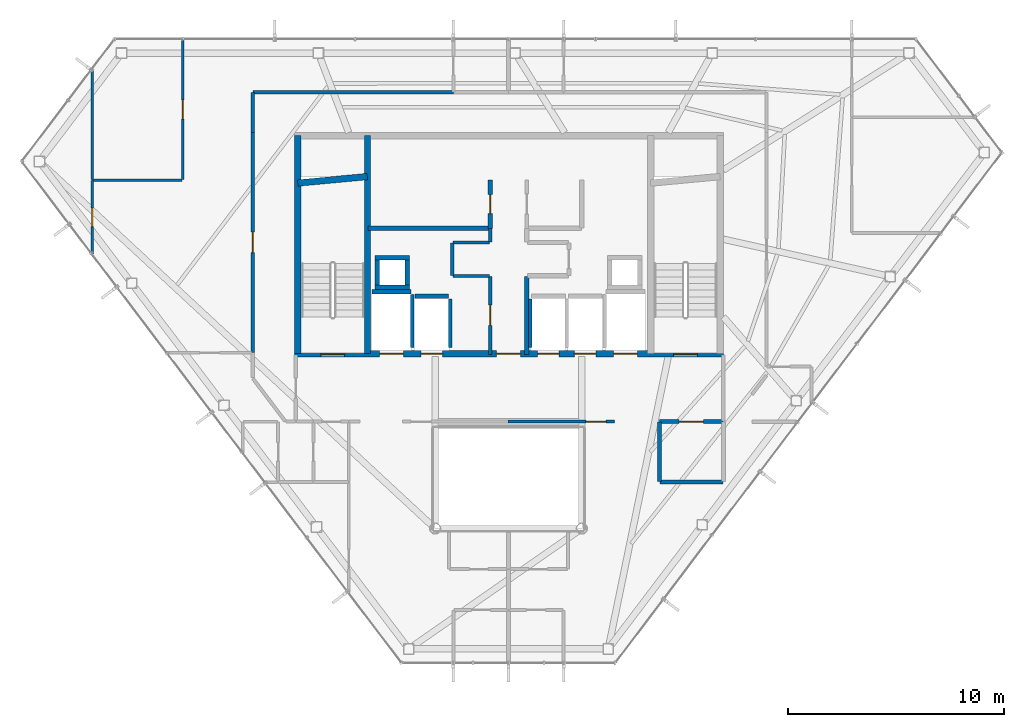
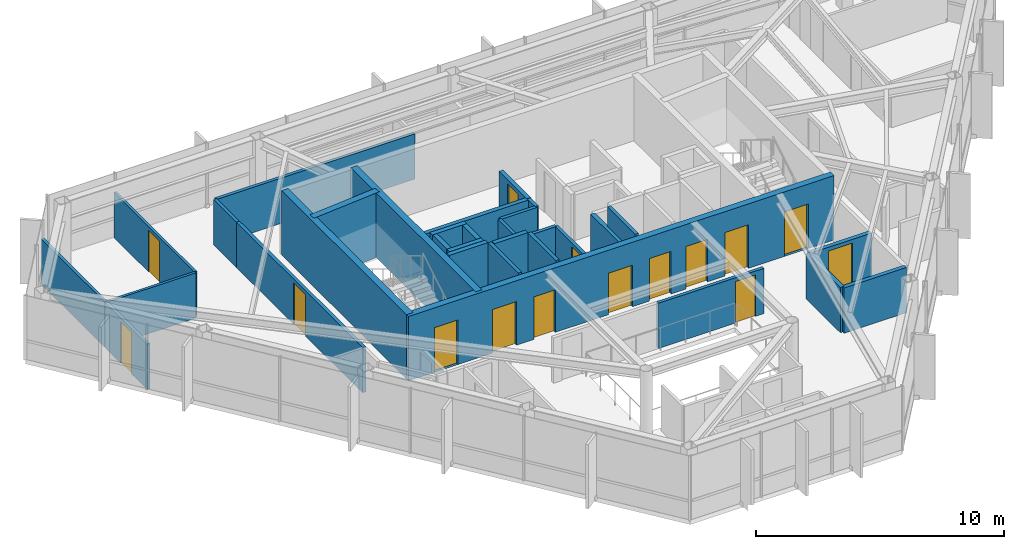
# One storey, part 22 of 25: 32 walls, 15 doors, 15 openings.
"""IFC4 building model written with IfcOpenShell, lengths in metres."""

from ifc_helpers import new_model, si_unit, direction, frame, frame_2d, origin, place, context, subcontext, project, spatial, rectangle, extrude, material, layer, layer_set, type_object, element, fill, save


model = new_model("IFC4")

# Units and contexts
model_context = context("Model", 3, precision=1e-05, world=origin(), true_north=direction((0.0, 1.0)))
body_context = subcontext(model_context, "Body", "Model", "MODEL_VIEW")
ifc_project = project(units=[si_unit("LENGTHUNIT", "METRE"), si_unit("AREAUNIT", "SQUARE_METRE"), si_unit("VOLUMEUNIT", "CUBIC_METRE"), si_unit("PLANEANGLEUNIT", "RADIAN"), si_unit("MASSUNIT", "GRAM", prefix="KILO")], contexts=[model_context])

# Site, building, storey
site_placement = place(None, origin())
site = spatial("IfcSite", under=ifc_project, at=site_placement, CompositionType="ELEMENT")
building_placement = place(site_placement, origin())
building = spatial("IfcBuilding", under=site, at=building_placement, Name="Zarrinselat Tower", CompositionType="ELEMENT")
storey_placement = place(building_placement, frame((0.0, 0.0, 261.800048828125)))
storey = spatial("IfcBuildingStorey", under=building, at=storey_placement, Name="L66", CompositionType="ELEMENT", Elevation=261.800048828125)

# Wall, opening, door
ifc_material_1 = material(Name="Concrete C40/50", Category="concrete")
ifc_layer_1 = layer(ifc_material_1, 0.18994140625)
ifc_layer_set_1 = layer_set([ifc_layer_1], Name="Concrete C40/50")
wall_type_1 = type_object("IfcWallType", Name="WAL-PART-EI120", PredefinedType="PARTITIONING", material=ifc_layer_set_1)
wall_1_placement = place(storey_placement, frame((45.405029296875, 30.14990234375, 0.0), z_axis=(0.0, 0.0, 1.0), x_axis=(1.0, 0.0, 0.0)))
wall_1 = element("IfcWall", 1, at=wall_1_placement, inside=storey, type_object=wall_type_1, Name="L66 Partition Wall 16", PredefinedType="PARTITIONING", context=body_context, shape_type="SweptSolid", body=[
    extrude(rectangle(XDim=2.925048828125, YDim=0.18994140625, at=frame_2d((1.46240234375, 0.0))), origin(), (0.0, 0.0, 1.0), 2.23486328125),
])
opening_1_placement = place(wall_1_placement, frame((0.902587890625, 0.0, 0.0)))
opening_1 = element("IfcOpeningElement", 2, at=opening_1_placement, cuts=wall_1, Name="Opening ID-02", PredefinedType="OPENING", context=body_context, shape_type="SweptSolid", body=[
    extrude(rectangle(XDim=1.1201171875, YDim=2.050048828125, at=frame_2d((0.56005859375, 1.02490234375))), frame((0.0, 0.10498046875, 0.0), z_axis=(0.0, -1.0, 0.0), x_axis=(1.0, 0.0, 0.0)), (0.0, 0.0, 1.0), 0.2099609375),
])
ifc_material_2 = material(Name="Steel S355J2", Category="steel")
door_type_1 = type_object("IfcDoorType", Name="DR-INT-FD60-W", OperationType="NOTDEFINED", PredefinedType="DOOR", material=ifc_material_2)
door_1_placement = place(opening_1_placement, origin())
door_1 = element("IfcDoor", 3, at=door_1_placement, inside=storey, type_object=door_type_1, Name="L66 Interior Door P16", OperationType="SINGLE_SWING_LEFT", OverallHeight=2.050048828125, OverallWidth=1.1201171875, PredefinedType="DOOR", context=body_context, shape_type="SweptSolid", body=[
    extrude(rectangle(XDim=1.1201171875, YDim=2.050048828125, at=frame_2d((0.56005859375, 1.02490234375))), frame((0.0, 0.02490234375, 0.0), z_axis=(0.0, -1.0, 0.0), x_axis=(1.0, 0.0, 0.0)), (0.0, 0.0, 1.0), 0.050048828125),
])
fill(opening_1, door_1)

# Walls
wall_2_placement = place(storey_placement, frame((45.419921875, 27.35009765625, 0.0), z_axis=(0.0, 0.0, 1.0), x_axis=(1.0, 0.0, 0.0)))
element("IfcWall", 4, at=wall_2_placement, inside=storey, type_object=wall_type_1, Name="L66 Partition Wall 24", PredefinedType="PARTITIONING", context=body_context, shape_type="SweptSolid", body=[
    extrude(rectangle(XDim=2.91015625, YDim=0.18994140625, at=frame_2d((1.455078125, 0.0))), origin(), (0.0, 0.0, 1.0), 2.23486328125),
])
wall_3_placement = place(storey_placement, frame((45.39990234375, 27.3701171875, 0.0), z_axis=(0.0, 0.0, 1.0), x_axis=(0.0, 1.0, 0.0)))
element("IfcWall", 5, at=wall_3_placement, inside=storey, type_object=wall_type_1, Name="L66 Partition Wall 25", PredefinedType="PARTITIONING", context=body_context, shape_type="SweptSolid", body=[
    extrude(rectangle(XDim=2.759765625, YDim=0.18994140625, at=frame_2d((1.3798828125, 0.0))), origin(), (0.0, 0.0, 1.0), 2.23486328125),
])

# Wall, opening, door
ifc_material_3 = material(Name="Fire-Rated Gypsum Board Partition", Category="gypsum")
ifc_layer_2 = layer(ifc_material_3, 0.14990234375)
ifc_layer_set_2 = layer_set([ifc_layer_2], Name="Fire-Rated Gypsum Board Partition")
wall_type_2 = type_object("IfcWallType", Name="WAL-PART-EI60", PredefinedType="PARTITIONING", material=ifc_layer_set_2)
wall_4_placement = place(storey_placement, frame((37.550048828125, 33.264892578125, 0.0), z_axis=(0.0, 0.0, 1.0), x_axis=(0.0, 1.0, 0.0)))
wall_4 = element("IfcWall", 6, at=wall_4_placement, inside=storey, type_object=wall_type_2, Name="L66 Partition Wall 1", PredefinedType="PARTITIONING", context=body_context, shape_type="SweptSolid", body=[
    extrude(rectangle(XDim=3.614990234375, YDim=0.14990234375, at=frame_2d((1.8076171875, 0.0))), origin(), (0.0, 0.0, 1.0), 2.23486328125),
])
opening_2_placement = place(wall_4_placement, frame((1.33740234375, 0.0, 0.0)))
opening_2 = element("IfcOpeningElement", 7, at=opening_2_placement, cuts=wall_4, Name="Opening ID-04", PredefinedType="OPENING", context=body_context, shape_type="SweptSolid", body=[
    extrude(rectangle(XDim=0.93994140625, YDim=2.050048828125, at=frame_2d((0.469970703125, 1.02490234375))), frame((0.0, 0.0849609375, 0.0), z_axis=(0.0, -1.0, 0.0), x_axis=(1.0, 0.0, 0.0)), (0.0, 0.0, 1.0), 0.169921875),
])
ifc_material_4 = material(Name="Fire-Rated Gypsum Board Partition")
door_type_2 = type_object("IfcDoorType", Name="DR-INT-FD30-ENT", OperationType="NOTDEFINED", PredefinedType="DOOR", material=ifc_material_4)
door_2_placement = place(opening_2_placement, origin())
door_2 = element("IfcDoor", 8, at=door_2_placement, inside=storey, type_object=door_type_2, Name="L66 Interior Door P1", OperationType="SINGLE_SWING_LEFT", OverallHeight=2.050048828125, OverallWidth=0.93994140625, PredefinedType="DOOR", context=body_context, shape_type="SweptSolid", body=[
    extrude(rectangle(XDim=0.93994140625, YDim=2.050048828125, at=frame_2d((0.469970703125, 1.02490234375))), frame((0.0, 0.02490234375, 0.0), z_axis=(0.0, -1.0, 0.0), x_axis=(1.0, 0.0, 0.0)), (0.0, 0.0, 1.0), 0.050048828125),
])
fill(opening_2, door_2)

# Walls
wall_5_placement = place(storey_placement, frame((35.820068359375, 36.89990234375, 0.0), z_axis=(0.0, 0.0, 1.0), x_axis=(1.0, 0.0, 0.0)))
element("IfcWall", 9, at=wall_5_placement, inside=storey, type_object=wall_type_2, Name="L66 Partition Wall 2", PredefinedType="PARTITIONING", context=body_context, shape_type="SweptSolid", body=[
    extrude(rectangle(XDim=1.7099609375, YDim=0.14990234375, at=frame_2d((0.85498046875, 0.0))), origin(), (0.0, 0.0, 1.0), 2.23486328125),
])
wall_6_placement = place(storey_placement, frame((35.800048828125, 36.919921875, 0.0), z_axis=(0.0, 0.0, 1.0), x_axis=(0.0, 1.0, 0.0)))
element("IfcWall", 10, at=wall_6_placement, inside=storey, type_object=wall_type_2, Name="L66 Partition Wall 3", PredefinedType="PARTITIONING", context=body_context, shape_type="SweptSolid", body=[
    extrude(rectangle(XDim=1.510009765625, YDim=0.14990234375, at=frame_2d((0.7548828125, 0.0))), origin(), (0.0, 0.0, 1.0), 2.23486328125),
])
wall_7_placement = place(storey_placement, frame((35.820068359375, 38.449951171875, 0.0), z_axis=(0.0, 0.0, 1.0), x_axis=(1.0, 0.0, 0.0)))
element("IfcWall", 11, at=wall_7_placement, inside=storey, type_object=wall_type_2, Name="L66 Partition Wall 4", PredefinedType="PARTITIONING", context=body_context, shape_type="SweptSolid", body=[
    extrude(rectangle(XDim=1.7099609375, YDim=0.14990234375, at=frame_2d((0.85498046875, 0.0))), origin(), (0.0, 0.0, 1.0), 2.23486328125),
])
wall_8_placement = place(storey_placement, frame((37.550048828125, 38.469970703125, 0.0), z_axis=(0.0, 0.0, 1.0), x_axis=(0.0, 1.0, 0.0)))
element("IfcWall", 12, at=wall_8_placement, inside=storey, type_object=wall_type_2, Name="L66 Partition Wall 5", PredefinedType="PARTITIONING", context=body_context, shape_type="SweptSolid", body=[
    extrude(rectangle(XDim=0.625, YDim=0.14990234375, at=frame_2d((0.3125, 0.0))), origin(), (0.0, 0.0, 1.0), 2.23486328125),
])

# Wall, opening, door
wall_9_placement = place(storey_placement, frame((38.385009765625, 30.14990234375, 0.0), z_axis=(0.0, 0.0, 1.0), x_axis=(1.0, 0.0, 0.0)))
wall_9 = element("IfcWall", 13, at=wall_9_placement, inside=storey, type_object=wall_type_2, Name="L66 Partition Wall 23", PredefinedType="PARTITIONING", context=body_context, shape_type="SweptSolid", body=[
    extrude(rectangle(XDim=4.929931640625, YDim=0.14990234375, at=frame_2d((2.46484375, 0.0))), origin(), (0.0, 0.0, 1.0), 2.23486328125),
])
opening_3_placement = place(wall_9_placement, frame((3.594970703125, 0.0, 0.0)))
opening_3 = element("IfcOpeningElement", 14, at=opening_3_placement, cuts=wall_9, Name="Opening ID-04", PredefinedType="OPENING", context=body_context, shape_type="SweptSolid", body=[
    extrude(rectangle(XDim=0.93994140625, YDim=2.050048828125, at=frame_2d((0.469970703125, 1.02490234375))), frame((0.0, 0.0849609375, 0.0), z_axis=(0.0, -1.0, 0.0), x_axis=(1.0, 0.0, 0.0)), (0.0, 0.0, 1.0), 0.169921875),
])
door_3_placement = place(opening_3_placement, origin())
door_3 = element("IfcDoor", 15, at=door_3_placement, inside=storey, type_object=door_type_2, Name="L66 Interior Door P23", OperationType="SINGLE_SWING_LEFT", OverallHeight=2.050048828125, OverallWidth=0.93994140625, PredefinedType="DOOR", context=body_context, shape_type="SweptSolid", body=[
    extrude(rectangle(XDim=0.93994140625, YDim=2.050048828125, at=frame_2d((0.469970703125, 1.02490234375))), frame((0.0, 0.02490234375, 0.0), z_axis=(0.0, -1.0, 0.0), x_axis=(1.0, 0.0, 0.0)), (0.0, 0.0, 1.0), 0.050048828125),
])
fill(opening_3, door_3)

wall_10_placement = place(storey_placement, frame((26.550048828125, 33.35302734375, 0.0), z_axis=(0.0, 0.0, 1.0), x_axis=(0.0, 1.0, 0.0)))
wall_10 = element("IfcWall", 16, at=wall_10_placement, inside=storey, type_object=wall_type_2, Name="L66 Partition Wall 28", PredefinedType="PARTITIONING", context=body_context, shape_type="SweptSolid", body=[
    extrude(rectangle(XDim=10.197021484375, YDim=0.14990234375, at=frame_2d((5.0986328125, 0.0))), origin(), (0.0, 0.0, 1.0), 2.23486328125),
])
opening_4_placement = place(wall_10_placement, frame((4.62841796875, 0.0, 0.0)))
opening_4 = element("IfcOpeningElement", 17, at=opening_4_placement, cuts=wall_10, Name="Opening ID-04", PredefinedType="OPENING", context=body_context, shape_type="SweptSolid", body=[
    extrude(rectangle(XDim=0.93994140625, YDim=2.050048828125, at=frame_2d((0.469970703125, 1.02490234375))), frame((0.0, 0.0849609375, 0.0), z_axis=(0.0, -1.0, 0.0), x_axis=(1.0, 0.0, 0.0)), (0.0, 0.0, 1.0), 0.169921875),
])
door_4_placement = place(opening_4_placement, origin())
door_4 = element("IfcDoor", 18, at=door_4_placement, inside=storey, type_object=door_type_2, Name="L66 Interior Door P28", OperationType="SINGLE_SWING_RIGHT", OverallHeight=2.050048828125, OverallWidth=0.93994140625, PredefinedType="DOOR", context=body_context, shape_type="SweptSolid", body=[
    extrude(rectangle(XDim=0.93994140625, YDim=2.050048828125, at=frame_2d((0.469970703125, 1.02490234375))), frame((0.0, 0.02490234375, 0.0), z_axis=(0.0, -1.0, 0.0), x_axis=(1.0, 0.0, 0.0)), (0.0, 0.0, 1.0), 0.050048828125),
])
fill(opening_4, door_4)

# Walls
wall_11_placement = place(storey_placement, frame((26.550048828125, 43.550048828125, 0.0), z_axis=(0.0, 0.0, 1.0), x_axis=(0.0, 1.0, 0.0)))
element("IfcWall", 19, at=wall_11_placement, inside=storey, type_object=wall_type_2, Name="L66 Partition Wall 29", PredefinedType="PARTITIONING", context=body_context, shape_type="SweptSolid", body=[
    extrude(rectangle(XDim=1.836669921875, YDim=0.14990234375, at=frame_2d((0.91845703125, 0.0))), origin(), (0.0, 0.0, 1.0), 2.23486328125),
])
wall_12_placement = place(storey_placement, frame((26.570068359375, 45.40673828125, 0.0), z_axis=(0.0, 0.0, 1.0), x_axis=(1.0, 0.0, 0.0)))
element("IfcWall", 20, at=wall_12_placement, inside=storey, type_object=wall_type_2, Name="L66 Partition Wall 30", PredefinedType="PARTITIONING", context=body_context, shape_type="SweptSolid", body=[
    extrude(rectangle(XDim=9.27490234375, YDim=0.14990234375, at=frame_2d((4.637451171875, 0.0))), origin(), (0.0, 0.0, 1.0), 2.23486328125),
])

# Wall, opening, door
ifc_material_5 = material(Name="Concrete C40/50", Category="concrete")
ifc_layer_3 = layer(ifc_material_5, 0.199951171875)
ifc_layer_set_3 = layer_set([ifc_layer_3], Name="Concrete C40/50")
wall_type_3 = type_object("IfcWallType", Name="WAL-PART-PLANT", PredefinedType="PARTITIONING", material=ifc_layer_set_3)
wall_13_placement = place(storey_placement, frame((37.550048828125, 39.10498046875, 0.0), z_axis=(0.0, 0.0, 1.0), x_axis=(0.0, 1.0, 0.0)))
wall_13 = element("IfcWall", 21, at=wall_13_placement, inside=storey, type_object=wall_type_3, Name="L66 Partition Wall 6", PredefinedType="PARTITIONING", context=body_context, shape_type="SweptSolid", body=[
    extrude(rectangle(XDim=2.2451171875, YDim=0.199951171875, at=frame_2d((1.12255859375, 0.0))), origin(), (0.0, 0.0, 1.0), 2.23486328125),
])
opening_5_placement = place(wall_13_placement, frame((0.6826171875, 0.0, 0.0)))
opening_5 = element("IfcOpeningElement", 22, at=opening_5_placement, cuts=wall_13, Name="Opening ID-03", PredefinedType="OPENING", context=body_context, shape_type="SweptSolid", body=[
    extrude(rectangle(XDim=0.8798828125, YDim=2.050048828125, at=frame_2d((0.43994140625, 1.02490234375))), frame((0.0, 0.10986328125, 0.0), z_axis=(0.0, -1.0, 0.0), x_axis=(1.0, 0.0, 0.0)), (0.0, 0.0, 1.0), 0.219970703125),
])
ifc_material_6 = material(Name="Steel S355J2", Category="steel")
door_type_3 = type_object("IfcDoorType", Name="DR-INT-FD60-S", OperationType="NOTDEFINED", PredefinedType="DOOR", material=ifc_material_6)
door_5_placement = place(opening_5_placement, origin())
door_5 = element("IfcDoor", 23, at=door_5_placement, inside=storey, type_object=door_type_3, Name="L66 Interior Door P6", OperationType="SINGLE_SWING_RIGHT", OverallHeight=2.050048828125, OverallWidth=0.8798828125, PredefinedType="DOOR", context=body_context, shape_type="SweptSolid", body=[
    extrude(rectangle(XDim=0.8798828125, YDim=2.050048828125, at=frame_2d((0.43994140625, 1.02490234375))), frame((0.0, 0.02490234375, 0.0), z_axis=(0.0, -1.0, 0.0), x_axis=(1.0, 0.0, 0.0)), (0.0, 0.0, 1.0), 0.050048828125),
])
fill(opening_5, door_5)

# Walls
wall_14_placement = place(storey_placement, frame((39.25, 33.264892578125, 0.0), z_axis=(0.0, 0.0, 1.0), x_axis=(0.0, 1.0, 0.0)))
element("IfcWall", 24, at=wall_14_placement, inside=storey, type_object=wall_type_3, Name="L66 Partition Wall 11", PredefinedType="PARTITIONING", context=body_context, shape_type="SweptSolid", body=[
    extrude(rectangle(XDim=3.614990234375, YDim=0.199951171875, at=frame_2d((1.8076171875, 0.0))), origin(), (0.0, 0.0, 1.0), 2.23486328125),
])
wall_15_placement = place(storey_placement, frame((31.885009765625, 39.10009765625, 0.0), z_axis=(0.0, 0.0, 1.0), x_axis=(1.0, 0.0, 0.0)))
element("IfcWall", 25, at=wall_15_placement, inside=storey, type_object=wall_type_3, Name="L66 Partition Wall 13", PredefinedType="PARTITIONING", context=body_context, shape_type="SweptSolid", body=[
    extrude(rectangle(XDim=5.64501953125, YDim=0.199951171875, at=frame_2d((2.822509765625, 0.0))), origin(), (0.0, 0.0, 1.0), 2.23486328125),
])
ifc_material_7 = material(Name="Fire-Rated Gypsum Board Partition", Category="gypsum")
ifc_layer_4 = layer(ifc_material_7, 0.1201171875)
ifc_layer_set_4 = layer_set([ifc_layer_4], Name="Fire-Rated Gypsum Board Partition")
wall_type_4 = type_object("IfcWallType", Name="WAL-PART-STD", PredefinedType="PARTITIONING", material=ifc_layer_set_4)
wall_16_placement = place(storey_placement, frame((19.1416015625, 41.33837890625, 0.0), z_axis=(0.0, 0.0, 1.0), x_axis=(1.0, 0.0, 0.0)))
element("IfcWall", 26, at=wall_16_placement, inside=storey, type_object=wall_type_4, Name="L66 Partition Wall 62", PredefinedType="PARTITIONING", context=body_context, shape_type="SweptSolid", body=[
    extrude(rectangle(XDim=4.14208984375, YDim=0.1201171875, at=frame_2d((2.071044921875, 0.0))), origin(), (0.0, 0.0, 1.0), 2.23486328125),
])

# Wall, opening, door
wall_17_placement = place(storey_placement, frame((23.3037109375, 41.3583984375, 0.0), z_axis=(0.0, 0.0, 1.0), x_axis=(0.0, 1.0, 0.0)))
wall_17 = element("IfcWall", 27, at=wall_17_placement, inside=storey, type_object=wall_type_4, Name="L66 Partition Wall 63", PredefinedType="PARTITIONING", context=body_context, shape_type="SweptSolid", body=[
    extrude(rectangle(XDim=6.493408203125, YDim=0.1201171875, at=frame_2d((3.24658203125, 0.0))), origin(), (0.0, 0.0, 1.0), 2.23486328125),
])
opening_6_placement = place(wall_17_placement, frame((2.796630859375, 0.0, 0.0)))
opening_6 = element("IfcOpeningElement", 28, at=opening_6_placement, cuts=wall_17, Name="Opening ID-05", PredefinedType="OPENING", context=body_context, shape_type="SweptSolid", body=[
    extrude(rectangle(XDim=0.89990234375, YDim=2.050048828125, at=frame_2d((0.449951171875, 1.02490234375))), frame((0.0, 0.070068359375, 0.0), z_axis=(0.0, -1.0, 0.0), x_axis=(1.0, 0.0, 0.0)), (0.0, 0.0, 1.0), 0.14013671875),
])
ifc_material_8 = material(Name="Extruded Aluminium Alloy EN AW-6063 T6", Category="aluminium")
door_type_4 = type_object("IfcDoorType", Name="DR-INT-STD-920", OperationType="NOTDEFINED", PredefinedType="DOOR", material=ifc_material_8)
door_6_placement = place(opening_6_placement, origin())
door_6 = element("IfcDoor", 29, at=door_6_placement, inside=storey, type_object=door_type_4, Name="L66 Interior Door P63", OperationType="SINGLE_SWING_LEFT", OverallHeight=2.050048828125, OverallWidth=0.89990234375, PredefinedType="DOOR", context=body_context, shape_type="SweptSolid", body=[
    extrude(rectangle(XDim=0.89990234375, YDim=2.050048828125, at=frame_2d((0.449951171875, 1.02490234375))), frame((0.0, 0.02490234375, 0.0), z_axis=(0.0, -1.0, 0.0), x_axis=(1.0, 0.0, 0.0)), (0.0, 0.0, 1.0), 0.050048828125),
])
fill(opening_6, door_6)

ifc_material_9 = material(Name="Fire-Rated Gypsum Board Partition", Category="gypsum")
ifc_layer_5 = layer(ifc_material_9, 0.135009765625)
ifc_layer_set_5 = layer_set([ifc_layer_5], Name="Fire-Rated Gypsum Board Partition")
wall_type_5 = type_object("IfcWallType", Name="WAL-PART-WET", PredefinedType="PARTITIONING", material=ifc_layer_set_5)
wall_18_placement = place(storey_placement, frame((19.12158203125, 37.9091796875, 0.0), z_axis=(0.0, 0.0, 1.0), x_axis=(0.0, 1.0, 0.0)))
wall_18 = element("IfcWall", 30, at=wall_18_placement, inside=storey, type_object=wall_type_5, Name="L66 Partition Wall 60", PredefinedType="PARTITIONING", context=body_context, shape_type="SweptSolid", body=[
    extrude(rectangle(XDim=3.4091796875, YDim=0.135009765625, at=frame_2d((1.70458984375, 0.0))), origin(), (0.0, 0.0, 1.0), 2.23486328125),
])
opening_7_placement = place(wall_18_placement, frame((1.274658203125, 0.0, 0.0)))
opening_7 = element("IfcOpeningElement", 31, at=opening_7_placement, cuts=wall_18, Name="Opening ID-06", PredefinedType="OPENING", context=body_context, shape_type="SweptSolid", body=[
    extrude(rectangle(XDim=0.860107421875, YDim=2.050048828125, at=frame_2d((0.43017578125, 1.02490234375))), frame((0.0, 0.077392578125, 0.0), z_axis=(0.0, -1.0, 0.0), x_axis=(1.0, 0.0, 0.0)), (0.0, 0.0, 1.0), 0.155029296875),
])
ifc_material_10 = material(Name="Extruded Aluminium Alloy EN AW-6063 T6", Category="aluminium")
door_type_5 = type_object("IfcDoorType", Name="DR-INT-WET-900", OperationType="NOTDEFINED", PredefinedType="DOOR", material=ifc_material_10)
door_7_placement = place(opening_7_placement, origin())
door_7 = element("IfcDoor", 32, at=door_7_placement, inside=storey, type_object=door_type_5, Name="L66 Interior Door P60", OperationType="SINGLE_SWING_LEFT", OverallHeight=2.050048828125, OverallWidth=0.860107421875, PredefinedType="DOOR", context=body_context, shape_type="SweptSolid", body=[
    extrude(rectangle(XDim=0.860107421875, YDim=2.050048828125, at=frame_2d((0.43017578125, 1.02490234375))), frame((0.0, 0.02490234375, 0.0), z_axis=(0.0, -1.0, 0.0), x_axis=(1.0, 0.0, 0.0)), (0.0, 0.0, 1.0), 0.050048828125),
])
fill(opening_7, door_7)

# Walls
wall_19_placement = place(storey_placement, frame((19.12158203125, 41.3583984375, 0.0), z_axis=(0.0, 0.0, 1.0), x_axis=(0.0, 1.0, 0.0)))
element("IfcWall", 33, at=wall_19_placement, inside=storey, type_object=wall_type_5, Name="L66 Partition Wall 65", PredefinedType="PARTITIONING", context=body_context, shape_type="SweptSolid", body=[
    extrude(rectangle(XDim=5.13134765625, YDim=0.135009765625, at=frame_2d((2.565673828125, 0.0))), origin(), (0.0, 0.0, 1.0), 2.23486328125),
])
ifc_material_11 = material(Name="Concrete C40/50", Category="concrete")
ifc_layer_6 = layer(ifc_material_11, 0.2099609375)
ifc_layer_set_6 = layer_set([ifc_layer_6], Name="Concrete C40/50")
wall_type_6 = type_object("IfcWallType", Name="WAL-SHAFT-210", PredefinedType="SOLIDWALL", material=ifc_layer_set_6)
wall_20_placement = place(storey_placement, frame((32.080078125, 36.155029296875, 0.0), z_axis=(0.0, 0.0, 1.0), x_axis=(1.0, 0.0, 0.0)))
element("IfcWall", 34, at=wall_20_placement, inside=storey, type_object=wall_type_6, Name="L66 Lift FFL1 North Shaft Wall", PredefinedType="SOLIDWALL", context=body_context, shape_type="SweptSolid", body=[
    extrude(rectangle(XDim=1.7998046875, YDim=0.2099609375, at=frame_2d((0.89990234375, 0.0))), origin(), (0.0, 0.0, 1.0), 3.179931640625),
])
wall_21_placement = place(storey_placement, frame((33.949951171875, 33.580078125, 0.0), z_axis=(0.0, 0.0, 1.0), x_axis=(0.0, 1.0, 0.0)))
element("IfcWall", 35, at=wall_21_placement, inside=storey, type_object=wall_type_6, Name="L66 Lift FFL1 E Shaft Wall", PredefinedType="SOLIDWALL", context=body_context, shape_type="SweptSolid", body=[
    extrude(rectangle(XDim=2.449951171875, YDim=0.159912109375, at=frame_2d((1.22509765625, 0.0))), origin(), (0.0, 0.0, 1.0), 3.179931640625),
])
wall_22_placement = place(storey_placement, frame((39.39990234375, 33.580078125, 0.0), z_axis=(0.0, 0.0, 1.0), x_axis=(0.0, 1.0, 0.0)))
element("IfcWall", 36, at=wall_22_placement, inside=storey, type_object=wall_type_6, Name="L66 Lift PL8 W Shaft Wall", PredefinedType="SOLIDWALL", context=body_context, shape_type="SweptSolid", body=[
    extrude(rectangle(XDim=2.25, YDim=0.159912109375, at=frame_2d((1.125, 0.0))), origin(), (0.0, 0.0, 1.0), 3.179931640625),
])
wall_23_placement = place(storey_placement, frame((34.070068359375, 35.955078125, 0.0), z_axis=(0.0, 0.0, 1.0), x_axis=(1.0, 0.0, 0.0)))
element("IfcWall", 37, at=wall_23_placement, inside=storey, type_object=wall_type_6, Name="L66 Lift PL10 North Shaft Wall", PredefinedType="SOLIDWALL", context=body_context, shape_type="SweptSolid", body=[
    extrude(rectangle(XDim=1.559814453125, YDim=0.2099609375, at=frame_2d((0.77978515625, 0.0))), origin(), (0.0, 0.0, 1.0), 3.179931640625),
])
wall_24_placement = place(storey_placement, frame((35.699951171875, 33.580078125, 0.0), z_axis=(0.0, 0.0, 1.0), x_axis=(0.0, 1.0, 0.0)))
element("IfcWall", 38, at=wall_24_placement, inside=storey, type_object=wall_type_6, Name="L66 Lift PL10 E Shaft Wall", PredefinedType="SOLIDWALL", context=body_context, shape_type="SweptSolid", body=[
    extrude(rectangle(XDim=2.25, YDim=0.159912109375, at=frame_2d((1.125, 0.0))), origin(), (0.0, 0.0, 1.0), 3.179931640625),
])
for number, where, z_axis, x_axis, name in (
    (39, (32.2099609375, 36.375, 0.0), (0.0, 0.0, 1.0), (1.0, 0.0, 0.0), "L66 Core Riser RSR-W S Shaft Wall"),
    (40, (32.2099609375, 37.7451171875, 0.0), (0.0, 0.0, 1.0), (1.0, 0.0, 0.0), "L66 Core Riser RSR-W N Shaft Wall"),
):
    element("IfcWall", number, at=place(storey_placement, frame(where, z_axis=z_axis, x_axis=x_axis)), inside=storey, type_object=wall_type_6, Name=name, PredefinedType="SOLIDWALL", context=body_context, shape_type="SweptSolid", body=[
        extrude(rectangle(XDim=1.60009765625, YDim=0.2099609375, at=frame_2d((0.800048828125, 0.0))), origin(), (0.0, 0.0, 1.0), 3.179931640625),
    ])
for number, where, z_axis, x_axis, name in (
    (41, (32.31494140625, 36.485107421875, 0.0), (0.0, 0.0, 1.0), (0.0, 1.0, 0.0), "L66 Core Riser RSR-W W Shaft Wall"),
    (42, (33.705078125, 36.485107421875, 0.0), (0.0, 0.0, 1.0), (0.0, 1.0, 0.0), "L66 Core Riser RSR-W E Shaft Wall"),
):
    element("IfcWall", number, at=place(storey_placement, frame(where, z_axis=z_axis, x_axis=x_axis)), inside=storey, type_object=wall_type_6, Name=name, PredefinedType="SOLIDWALL", context=body_context, shape_type="SweptSolid", body=[
        extrude(rectangle(XDim=1.14990234375, YDim=0.2099609375, at=frame_2d((0.574951171875, 0.0))), origin(), (0.0, 0.0, 1.0), 3.179931640625),
    ])

# Wall, openings, doors
ifc_material_12 = material(Name="Concrete C40/50", Category="concrete")
ifc_layer_7 = layer(ifc_material_12, 0.300048828125)
ifc_layer_set_7 = layer_set([ifc_layer_7], Name="Concrete C40/50")
wall_type_7 = type_object("IfcWallType", Name="WAL-SHEAR-300", PredefinedType="SHEAR", material=ifc_layer_set_7)
wall_25_placement = place(storey_placement, frame((28.5, 33.300048828125, 0.0), z_axis=(0.0, 0.0, 1.0), x_axis=(1.0, 0.0, 0.0)))
wall_25 = element("IfcWall", 43, at=wall_25_placement, inside=storey, type_object=wall_type_7, Name="L66 South Core Shear Wall", PredefinedType="SHEAR", context=body_context, shape_type="SweptSolid", body=[
    extrude(rectangle(XDim=19.860107421875, YDim=0.300048828125, at=frame_2d((9.93017578125, 0.0))), origin(), (0.0, 0.0, 1.0), 3.179931640625),
])
opening_8_placement = place(wall_25_placement, frame((3.929931640625, 0.0, 0.0)))
opening_8 = element("IfcOpeningElement", 44, at=opening_8_placement, cuts=wall_25, Name="Opening LD-FFL1", PredefinedType="OPENING", context=body_context, shape_type="SweptSolid", body=[
    extrude(rectangle(XDim=1.10009765625, YDim=2.14990234375, at=frame_2d((0.550048828125, 1.074951171875))), frame((0.0, 0.159912109375, 0.0), z_axis=(0.0, -1.0, 0.0), x_axis=(1.0, 0.0, 0.0)), (0.0, 0.0, 1.0), 0.320068359375),
])
opening_9_placement = place(wall_25_placement, frame((14.77001953125, 0.0, 0.0)))
opening_9 = element("IfcOpeningElement", 45, at=opening_9_placement, cuts=wall_25, Name="Opening LD-FFL2", PredefinedType="OPENING", context=body_context, shape_type="SweptSolid", body=[
    extrude(rectangle(XDim=1.10009765625, YDim=2.14990234375, at=frame_2d((0.550048828125, 1.074951171875))), frame((0.0, 0.159912109375, 0.0), z_axis=(0.0, -1.0, 0.0), x_axis=(1.0, 0.0, 0.0)), (0.0, 0.0, 1.0), 0.320068359375),
])
opening_10_placement = place(wall_25_placement, frame((11.25, 0.0, 0.0)))
opening_10 = element("IfcOpeningElement", 46, at=opening_10_placement, cuts=wall_25, Name="Opening LD-PL8", PredefinedType="OPENING", context=body_context, shape_type="SweptSolid", body=[
    extrude(rectangle(XDim=1.0, YDim=2.10009765625, at=frame_2d((0.5, 1.050048828125))), frame((0.0, 0.159912109375, 0.0), z_axis=(0.0, -1.0, 0.0), x_axis=(1.0, 0.0, 0.0)), (0.0, 0.0, 1.0), 0.320068359375),
])
opening_11_placement = place(wall_25_placement, frame((12.949951171875, 0.0, 0.0)))
opening_11 = element("IfcOpeningElement", 47, at=opening_11_placement, cuts=wall_25, Name="Opening LD-PL9", PredefinedType="OPENING", context=body_context, shape_type="SweptSolid", body=[
    extrude(rectangle(XDim=1.0, YDim=2.10009765625, at=frame_2d((0.5, 1.050048828125))), frame((0.0, 0.159912109375, 0.0), z_axis=(0.0, -1.0, 0.0), x_axis=(1.0, 0.0, 0.0)), (0.0, 0.0, 1.0), 0.320068359375),
])
opening_12_placement = place(wall_25_placement, frame((5.85009765625, 0.0, 0.0)))
opening_12 = element("IfcOpeningElement", 48, at=opening_12_placement, cuts=wall_25, Name="Opening LD-PL10", PredefinedType="OPENING", context=body_context, shape_type="SweptSolid", body=[
    extrude(rectangle(XDim=1.0, YDim=2.10009765625, at=frame_2d((0.5, 1.050048828125))), frame((0.0, 0.159912109375, 0.0), z_axis=(0.0, -1.0, 0.0), x_axis=(1.0, 0.0, 0.0)), (0.0, 0.0, 1.0), 0.320068359375),
])
opening_13_placement = place(wall_25_placement, frame((1.2099609375, 0.0, 0.0)))
opening_13 = element("IfcOpeningElement", 49, at=opening_13_placement, cuts=wall_25, Name="Opening SD-01", PredefinedType="OPENING", context=body_context, shape_type="SweptSolid", body=[
    extrude(rectangle(XDim=1.10009765625, YDim=2.199951171875, at=frame_2d((0.550048828125, 1.10009765625))), frame((0.0, 0.159912109375, 0.0), z_axis=(0.0, -1.0, 0.0), x_axis=(1.0, 0.0, 0.0)), (0.0, 0.0, 1.0), 0.320068359375),
])
opening_14_placement = place(wall_25_placement, frame((9.340087890625, 0.0, 0.0)))
opening_14 = element("IfcOpeningElement", 50, at=opening_14_placement, cuts=wall_25, Name="Opening ID-02", PredefinedType="OPENING", context=body_context, shape_type="SweptSolid", body=[
    extrude(rectangle(XDim=1.1201171875, YDim=2.050048828125, at=frame_2d((0.56005859375, 1.02490234375))), frame((0.0, 0.159912109375, 0.0), z_axis=(0.0, -1.0, 0.0), x_axis=(1.0, 0.0, 0.0)), (0.0, 0.0, 1.0), 0.320068359375),
])
opening_15_placement = place(wall_25_placement, frame((17.550048828125, 0.0, 0.0)))
opening_15 = element("IfcOpeningElement", 51, at=opening_15_placement, cuts=wall_25, Name="Opening SD-01", PredefinedType="OPENING", context=body_context, shape_type="SweptSolid", body=[
    extrude(rectangle(XDim=1.10009765625, YDim=2.199951171875, at=frame_2d((0.550048828125, 1.10009765625))), frame((0.0, 0.159912109375, 0.0), z_axis=(0.0, -1.0, 0.0), x_axis=(1.0, 0.0, 0.0)), (0.0, 0.0, 1.0), 0.320068359375),
])
door_8_placement = place(opening_14_placement, origin())
door_8 = element("IfcDoor", 52, at=door_8_placement, inside=storey, type_object=door_type_1, Name="L66 Core Service Vestibule Fire Door", OperationType="SINGLE_SWING_RIGHT", OverallHeight=2.050048828125, OverallWidth=1.1201171875, PredefinedType="DOOR", context=body_context, shape_type="SweptSolid", body=[
    extrude(rectangle(XDim=1.1201171875, YDim=2.050048828125, at=frame_2d((0.56005859375, 1.02490234375))), frame((0.0, 0.02490234375, 0.0), z_axis=(0.0, -1.0, 0.0), x_axis=(1.0, 0.0, 0.0)), (0.0, 0.0, 1.0), 0.050048828125),
])
fill(opening_14, door_8)
ifc_material_13 = material(Name="Steel S355J2", Category="steel")
door_type_6 = type_object("IfcDoorType", Name="DR-LIFT-FF-1100", OperationType="NOTDEFINED", PredefinedType="DOOR", material=ifc_material_13)
door_9_placement = place(opening_8_placement, origin())
door_9 = element("IfcDoor", 53, at=door_9_placement, inside=storey, type_object=door_type_6, Name="L66 Lift FFL1 Sliding Landing Door", OperationType="SLIDING_TO_LEFT", OverallHeight=2.14990234375, OverallWidth=1.10009765625, PredefinedType="DOOR", context=body_context, shape_type="SweptSolid", body=[
    extrude(rectangle(XDim=1.10009765625, YDim=2.14990234375, at=frame_2d((0.550048828125, 1.074951171875))), frame((0.0, 0.02490234375, 0.0), z_axis=(0.0, -1.0, 0.0), x_axis=(1.0, 0.0, 0.0)), (0.0, 0.0, 1.0), 0.050048828125),
])
fill(opening_8, door_9)
door_10_placement = place(opening_9_placement, origin())
door_10 = element("IfcDoor", 54, at=door_10_placement, inside=storey, type_object=door_type_6, Name="L66 Lift FFL2 Sliding Landing Door", OperationType="SLIDING_TO_RIGHT", OverallHeight=2.14990234375, OverallWidth=1.10009765625, PredefinedType="DOOR", context=body_context, shape_type="SweptSolid", body=[
    extrude(rectangle(XDim=1.10009765625, YDim=2.14990234375, at=frame_2d((0.550048828125, 1.074951171875))), frame((0.0, 0.02490234375, 0.0), z_axis=(0.0, -1.0, 0.0), x_axis=(1.0, 0.0, 0.0)), (0.0, 0.0, 1.0), 0.050048828125),
])
fill(opening_9, door_10)
ifc_material_14 = material(Name="Steel S355J2", Category="steel")
door_type_7 = type_object("IfcDoorType", Name="DR-LIFT-PS-1000", OperationType="NOTDEFINED", PredefinedType="DOOR", material=ifc_material_14)
door_11_placement = place(opening_10_placement, origin())
door_11 = element("IfcDoor", 55, at=door_11_placement, inside=storey, type_object=door_type_7, Name="L66 Lift PL8 Sliding Landing Door", OperationType="SLIDING_TO_RIGHT", OverallHeight=2.10009765625, OverallWidth=1.0, PredefinedType="DOOR", context=body_context, shape_type="SweptSolid", body=[
    extrude(rectangle(XDim=1.0, YDim=2.10009765625, at=frame_2d((0.5, 1.050048828125))), frame((0.0, 0.02490234375, 0.0), z_axis=(0.0, -1.0, 0.0), x_axis=(1.0, 0.0, 0.0)), (0.0, 0.0, 1.0), 0.050048828125),
])
fill(opening_10, door_11)
door_12_placement = place(opening_11_placement, origin())
door_12 = element("IfcDoor", 56, at=door_12_placement, inside=storey, type_object=door_type_7, Name="L66 Lift PL9 Sliding Landing Door", OperationType="SLIDING_TO_LEFT", OverallHeight=2.10009765625, OverallWidth=1.0, PredefinedType="DOOR", context=body_context, shape_type="SweptSolid", body=[
    extrude(rectangle(XDim=1.0, YDim=2.10009765625, at=frame_2d((0.5, 1.050048828125))), frame((0.0, 0.02490234375, 0.0), z_axis=(0.0, -1.0, 0.0), x_axis=(1.0, 0.0, 0.0)), (0.0, 0.0, 1.0), 0.050048828125),
])
fill(opening_11, door_12)
door_13_placement = place(opening_12_placement, origin())
door_13 = element("IfcDoor", 57, at=door_13_placement, inside=storey, type_object=door_type_7, Name="L66 Lift PL10 Sliding Landing Door", OperationType="SLIDING_TO_RIGHT", OverallHeight=2.10009765625, OverallWidth=1.0, PredefinedType="DOOR", context=body_context, shape_type="SweptSolid", body=[
    extrude(rectangle(XDim=1.0, YDim=2.10009765625, at=frame_2d((0.5, 1.050048828125))), frame((0.0, 0.02490234375, 0.0), z_axis=(0.0, -1.0, 0.0), x_axis=(1.0, 0.0, 0.0)), (0.0, 0.0, 1.0), 0.050048828125),
])
fill(opening_12, door_13)
ifc_material_15 = material(Name="Steel S355J2", Category="steel")
door_type_8 = type_object("IfcDoorType", Name="DR-STAIR-1100", OperationType="NOTDEFINED", PredefinedType="DOOR", material=ifc_material_15)
door_14_placement = place(opening_13_placement, origin())
door_14 = element("IfcDoor", 58, at=door_14_placement, inside=storey, type_object=door_type_8, Name="L66 Exit Stair 1 Fire Door", OperationType="SINGLE_SWING_LEFT", OverallHeight=2.199951171875, OverallWidth=1.10009765625, PredefinedType="DOOR", context=body_context, shape_type="SweptSolid", body=[
    extrude(rectangle(XDim=1.10009765625, YDim=2.199951171875, at=frame_2d((0.550048828125, 1.10009765625))), frame((0.0, 0.02490234375, 0.0), z_axis=(0.0, -1.0, 0.0), x_axis=(1.0, 0.0, 0.0)), (0.0, 0.0, 1.0), 0.050048828125),
])
fill(opening_13, door_14)
door_15_placement = place(opening_15_placement, origin())
door_15 = element("IfcDoor", 59, at=door_15_placement, inside=storey, type_object=door_type_8, Name="L66 Exit Stair 2 Fire Door", OperationType="SINGLE_SWING_RIGHT", OverallHeight=2.199951171875, OverallWidth=1.10009765625, PredefinedType="DOOR", context=body_context, shape_type="SweptSolid", body=[
    extrude(rectangle(XDim=1.10009765625, YDim=2.199951171875, at=frame_2d((0.550048828125, 1.10009765625))), frame((0.0, 0.02490234375, 0.0), z_axis=(0.0, -1.0, 0.0), x_axis=(1.0, 0.0, 0.0)), (0.0, 0.0, 1.0), 0.050048828125),
])
fill(opening_15, door_15)

# Walls
for number, where, z_axis, x_axis, name in (
    (60, (28.64990234375, 33.300048828125, 0.0), (0.0, 0.0, 1.0), (0.0, 1.0, 0.0), "L66 Core Shear Wall W"),
    (61, (31.8701171875, 33.300048828125, 0.0), (0.0, 0.0, 1.0), (0.0, 1.0, 0.0), "L66 Core Shear Wall ST1E"),
):
    element("IfcWall", number, at=place(storey_placement, frame(where, z_axis=z_axis, x_axis=x_axis)), inside=storey, type_object=wall_type_7, Name=name, PredefinedType="SHEAR", context=body_context, shape_type="SweptSolid", body=[
        extrude(rectangle(XDim=10.099853515625, YDim=0.300048828125, at=frame_2d((5.0498046875, 0.0))), origin(), (0.0, 0.0, 1.0), 3.179931640625),
    ])
wall_26_placement = place(storey_placement, frame((28.639892578125, 41.199951171875, 0.0), z_axis=(0.0, 0.0, 1.0), x_axis=(0.995687118776, 0.092774789157, 0.0)))
element("IfcWall", 62, at=wall_26_placement, inside=storey, type_object=wall_type_7, Name="L66 Stair 1 North Shaft Wall", PredefinedType="SHEAR", context=body_context, shape_type="SweptSolid", body=[
    extrude(rectangle(XDim=3.234130859375, YDim=0.300048828125, at=frame_2d((1.6171875, 0.0))), origin(), (0.0, 0.0, 1.0), 3.179931640625),
])

save(model, "model.ifc")
